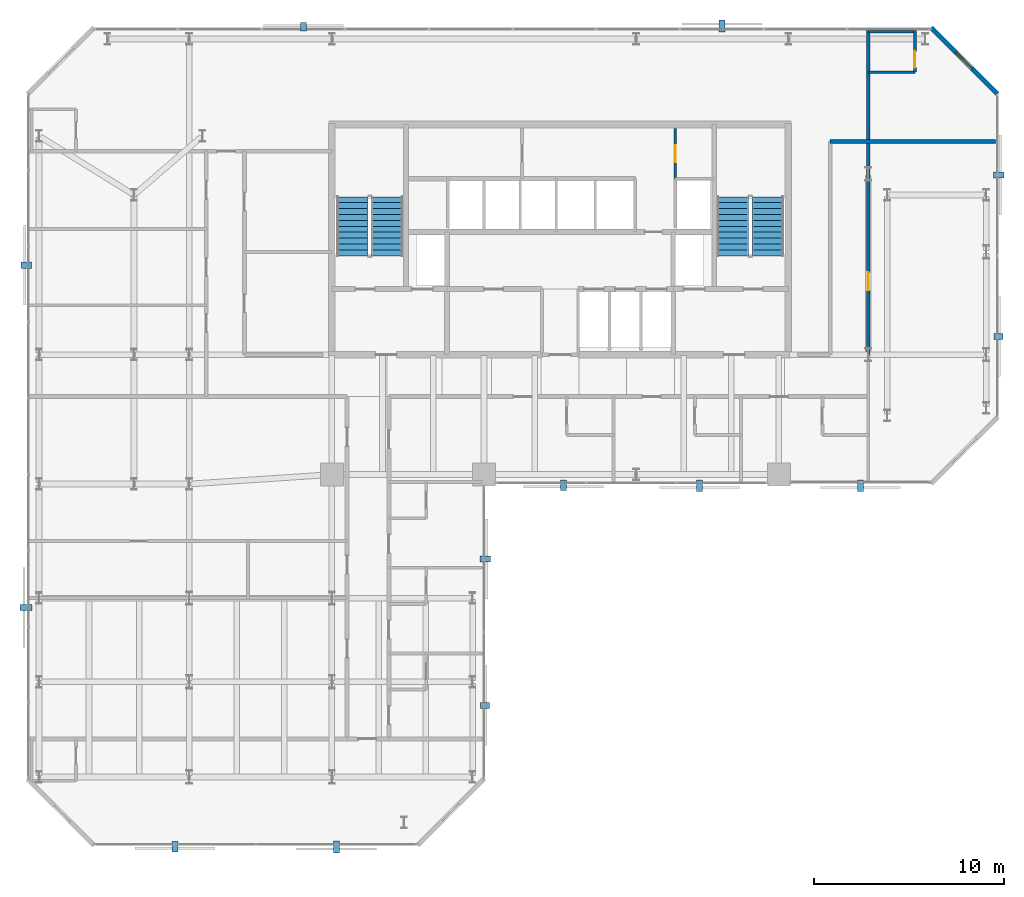
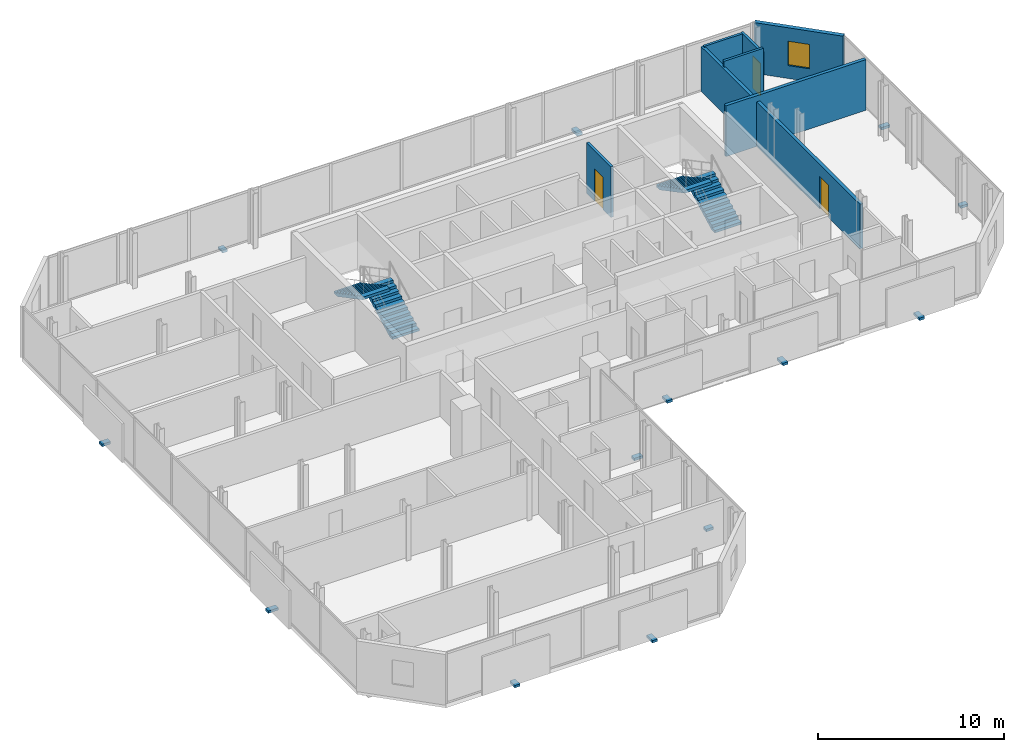
# One storey, part 30 of 32: 13 discrete accessories, 7 walls, 4 stair flights, 3 doors, 1 window, 4 openings, 2 elements without a shape of their own.
"""IFC4 building model written with IfcOpenShell, lengths in metres."""

from ifc_helpers import new_model, si_unit, direction, frame, frame_2d, origin, origin_2d, place, context, subcontext, project, spatial, polyline, rectangle, outline, extrude, material, layer, layer_set, type_object, element, fill, aggregate, save


model = new_model("IFC4")

# Units and contexts
model_context = context("Model", 3, precision=1e-05, world=origin(), true_north=direction((0.0, 1.0)))
body_context = subcontext(model_context, "Body", "Model", "MODEL_VIEW")
ifc_project = project(units=[si_unit("LENGTHUNIT", "METRE"), si_unit("AREAUNIT", "SQUARE_METRE"), si_unit("VOLUMEUNIT", "CUBIC_METRE"), si_unit("PLANEANGLEUNIT", "RADIAN"), si_unit("MASSUNIT", "GRAM", prefix="KILO")], contexts=[model_context])

# Site, building, storey
site_placement = place(None, origin())
site = spatial("IfcSite", under=ifc_project, at=site_placement, CompositionType="ELEMENT")
building_placement = place(site_placement, origin())
building = spatial("IfcBuilding", under=site, at=building_placement, Name="Catumbela Crestline Tower", CompositionType="ELEMENT")
storey_placement = place(building_placement, frame((0.0, 0.0, 133.2)))
storey = spatial("IfcBuildingStorey", under=building, at=storey_placement, Name="L34", CompositionType="ELEMENT", Elevation=133.2)

# Wall
ifc_material_1 = material(Name="Acoustic gypsum and mineral-wool partition")
ifc_layer_1 = layer(ifc_material_1, 0.2, Name="Acoustic gypsum and mineral-wool partition")
ifc_layer_set_1 = layer_set([ifc_layer_1], Name="Acoustic gypsum and mineral-wool partition")
wall_type_1 = type_object("IfcWallType", Name="WC-200", PredefinedType="PARTITIONING", material=ifc_layer_set_1)
wall_1_placement = place(storey_placement, frame((42.2, 42.0, 0.0), z_axis=(0.0, 0.0, 1.0), x_axis=(1.0, 0.0, 0.0)))
element("IfcWall", 1, at=wall_1_placement, inside=storey, type_object=wall_type_1, Name="L34 Interior Partition PW-L34-Z2CW-E3", PredefinedType="PARTITIONING", context=body_context, shape_type="SweptSolid", body=[
    extrude(rectangle(XDim=8.7, YDim=0.2, at=frame_2d((4.35, 0.0))), origin(), (0.0, 0.0, 1.0), 3.33),
])

# Wall, opening, door
wall_2_placement = place(storey_placement, frame((44.2, 30.8, 0.0), z_axis=(0.0, 0.0, 1.0), x_axis=(0.0, 1.0, 0.0)))
wall_2 = element("IfcWall", 2, at=wall_2_placement, inside=storey, type_object=wall_type_1, Name="L34 Interior Partition PW-L34-SE1-ENT", PredefinedType="PARTITIONING", context=body_context, shape_type="SweptSolid", body=[
    extrude(rectangle(XDim=17.1, YDim=0.2, at=frame_2d((8.55, 0.0))), origin(), (0.0, 0.0, 1.0), 2.93),
])
opening_1_placement = place(wall_2_placement, frame((3.3825, 0.0, 0.0)))
opening_1 = element("IfcOpeningElement", 3, at=opening_1_placement, cuts=wall_2, Name="Opening DF6-095", PredefinedType="OPENING", context=body_context, shape_type="SweptSolid", body=[
    extrude(rectangle(XDim=0.95, YDim=2.15, at=frame_2d((0.475, 1.075))), frame((0.0, 0.11, 0.0), z_axis=(0.0, -1.0, 0.0), x_axis=(1.0, 0.0, 0.0)), (0.0, 0.0, 1.0), 0.22),
])
ifc_material_2 = material(Name="Aluminium alloy AW-6060-T66", Category="aluminium")
door_type_1 = type_object("IfcDoorType", Name="DF6-095", OperationType="NOTDEFINED", PredefinedType="DOOR", material=ifc_material_2)
door_1_placement = place(opening_1_placement, origin())
door_1 = element("IfcDoor", 4, at=door_1_placement, inside=storey, type_object=door_type_1, Name="L34 Interior Door DR-L34-SE1-ENT", OperationType="SINGLE_SWING_RIGHT", OverallHeight=2.15, OverallWidth=0.95, PredefinedType="DOOR", context=body_context, shape_type="SweptSolid", body=[
    extrude(rectangle(XDim=0.95, YDim=2.15, at=frame_2d((0.475, 1.075))), frame((0.0, 0.025, 0.0), z_axis=(0.0, -1.0, 0.0), x_axis=(1.0, 0.0, 0.0)), (0.0, 0.0, 1.0), 0.05),
])
fill(opening_1, door_1)

# Wall, opening, window
ifc_material_3 = material(Name="Angolan grey-ochre granite", Category="masonry")
ifc_layer_2 = layer(ifc_material_3, 0.25, Name="Angolan grey-ochre granite")
ifc_layer_set_2 = layer_set([ifc_layer_2], Name="Angolan grey-ochre granite")
wall_type_2 = type_object("IfcWallType", Name="WE-250", PredefinedType="STANDARD", material=ifc_layer_set_2)
wall_3_placement = place(storey_placement, frame((51.0, 44.5, 0.0), z_axis=(0.0, 0.0, 1.0), x_axis=(-0.707106781187, 0.707106781187, 0.0)))
wall_3 = element("IfcWall", 5, at=wall_3_placement, inside=storey, type_object=wall_type_2, Name="L34 Granite Punched Window Wall 6-1", PredefinedType="STANDARD", context=body_context, shape_type="SweptSolid", body=[
    extrude(rectangle(XDim=4.9497, YDim=0.25, at=frame_2d((2.4748, 0.0))), origin(), (0.0, 0.0, 1.0), 3.33),
])
opening_2_placement = place(wall_3_placement, frame((1.8748, 0.0, 0.85)))
opening_2 = element("IfcOpeningElement", 6, at=opening_2_placement, cuts=wall_3, Name="Opening WN-02", PredefinedType="OPENING", context=body_context, shape_type="SweptSolid", body=[
    extrude(rectangle(XDim=1.2, YDim=1.6, at=frame_2d((0.6, 0.8))), frame((0.0, 0.135, 0.0), z_axis=(0.0, -1.0, 0.0), x_axis=(1.0, 0.0, 0.0)), (0.0, 0.0, 1.0), 0.27),
])
ifc_material_4 = material(Name="Low-E laminated solar-control double glazing", Category="glass")
window_type = type_object("IfcWindowType", Name="WO-1200", PartitioningType="SINGLE_PANEL", PredefinedType="WINDOW", material=ifc_material_4)
window_placement = place(opening_2_placement, origin())
window = element("IfcWindow", 7, at=window_placement, inside=storey, type_object=window_type, Name="L34 Facade Vision Window 192", OverallHeight=1.6, OverallWidth=1.2, PartitioningType="SINGLE_PANEL", PredefinedType="WINDOW", context=body_context, shape_type="SweptSolid", body=[
    extrude(rectangle(XDim=1.2, YDim=1.6, at=frame_2d((0.6, 0.8))), frame((0.0, 0.03, 0.0), z_axis=(0.0, -1.0, 0.0), x_axis=(1.0, 0.0, 0.0)), (0.0, 0.0, 1.0), 0.06),
])
fill(opening_2, window)

# Wall, opening, door
ifc_layer_3 = layer(ifc_material_1, 0.15, Name="Acoustic gypsum and mineral-wool partition")
ifc_layer_set_3 = layer_set([ifc_layer_3], Name="Acoustic gypsum and mineral-wool partition")
wall_type_3 = type_object("IfcWallType", Name="WP-150", PredefinedType="PARTITIONING", material=ifc_layer_set_3)
wall_4_placement = place(storey_placement, frame((34.05, 40.05, 0.0), z_axis=(0.0, 0.0, 1.0), x_axis=(0.0, 1.0, 0.0)))
wall_4 = element("IfcWall", 8, at=wall_4_placement, inside=storey, type_object=wall_type_3, Name="L34 Interior Partition PW-L34-CR-EW", PredefinedType="PARTITIONING", context=body_context, shape_type="SweptSolid", body=[
    extrude(rectangle(XDim=2.63, YDim=0.15, at=frame_2d((1.315, 0.0))), origin(), (0.0, 0.0, 1.0), 3.33),
])
opening_3_placement = place(wall_4_placement, frame((0.865, 0.0, 0.0)))
opening_3 = element("IfcOpeningElement", 9, at=opening_3_placement, cuts=wall_4, Name="Opening DF9-090", PredefinedType="OPENING", context=body_context, shape_type="SweptSolid", body=[
    extrude(rectangle(XDim=0.9, YDim=2.15, at=frame_2d((0.45, 1.075))), frame((0.0, 0.085, 0.0), z_axis=(0.0, -1.0, 0.0), x_axis=(1.0, 0.0, 0.0)), (0.0, 0.0, 1.0), 0.17),
])
ifc_material_5 = material(Name="Stainless steel EN 1.4401", Category="steel")
door_type_2 = type_object("IfcDoorType", Name="DF9-090", OperationType="NOTDEFINED", PredefinedType="DOOR", material=ifc_material_5)
door_2_placement = place(opening_3_placement, origin())
door_2 = element("IfcDoor", 10, at=door_2_placement, inside=storey, type_object=door_type_2, Name="L34 Interior Door DR-L34-CREAST", OperationType="SINGLE_SWING_RIGHT", OverallHeight=2.15, OverallWidth=0.9, PredefinedType="DOOR", context=body_context, shape_type="SweptSolid", body=[
    extrude(rectangle(XDim=0.9, YDim=2.15, at=frame_2d((0.45, 1.075))), frame((0.0, 0.025, 0.0), z_axis=(0.0, -1.0, 0.0), x_axis=(1.0, 0.0, 0.0)), (0.0, 0.0, 1.0), 0.05),
])
fill(opening_3, door_2)

# Wall
wall_5_placement = place(storey_placement, frame((44.2, 45.65, 0.0), z_axis=(0.0, 0.0, 1.0), x_axis=(1.0, 0.0, 0.0)))
element("IfcWall", 11, at=wall_5_placement, inside=storey, type_object=wall_type_3, Name="L34 Interior Partition PW-L34-SE1-BSW", PredefinedType="PARTITIONING", context=body_context, shape_type="SweptSolid", body=[
    extrude(rectangle(XDim=2.45, YDim=0.15, at=frame_2d((1.225, 0.0))), origin(), (0.0, 0.0, 1.0), 3.33),
])

# Wall, opening, door
wall_6_placement = place(storey_placement, frame((46.65, 45.65, 0.0), z_axis=(0.0, 0.0, 1.0), x_axis=(0.0, 1.0, 0.0)))
wall_6 = element("IfcWall", 12, at=wall_6_placement, inside=storey, type_object=wall_type_3, Name="L34 Interior Partition PW-L34-SE1-BEW", PredefinedType="PARTITIONING", context=body_context, shape_type="SweptSolid", body=[
    extrude(rectangle(XDim=2.25, YDim=0.15, at=frame_2d((1.125, 0.0))), origin(), (0.0, 0.0, 1.0), 3.01),
])
opening_4_placement = place(wall_6_placement, frame((0.24, 0.0, 0.0)))
opening_4 = element("IfcOpeningElement", 13, at=opening_4_placement, cuts=wall_6, Name="Opening DI-085", PredefinedType="OPENING", context=body_context, shape_type="SweptSolid", body=[
    extrude(rectangle(XDim=0.85, YDim=2.15, at=frame_2d((0.425, 1.075))), frame((0.0, 0.085, 0.0), z_axis=(0.0, -1.0, 0.0), x_axis=(1.0, 0.0, 0.0)), (0.0, 0.0, 1.0), 0.17),
])
door_type_3 = type_object("IfcDoorType", Name="DI-085", OperationType="NOTDEFINED", PredefinedType="DOOR", material=ifc_material_2)
door_3_placement = place(opening_4_placement, origin())
door_3 = element("IfcDoor", 14, at=door_3_placement, inside=storey, type_object=door_type_3, Name="L34 Interior Door DR-L34-SE1-BTH", OperationType="SINGLE_SWING_LEFT", OverallHeight=2.15, OverallWidth=0.85, PredefinedType="DOOR", context=body_context, shape_type="SweptSolid", body=[
    extrude(rectangle(XDim=0.85, YDim=2.15, at=frame_2d((0.425, 1.075))), frame((0.0, 0.025, 0.0), z_axis=(0.0, -1.0, 0.0), x_axis=(1.0, 0.0, 0.0)), (0.0, 0.0, 1.0), 0.05),
])
fill(opening_4, door_3)

# Wall
wall_7_placement = place(storey_placement, frame((44.2, 47.78, 0.0), z_axis=(0.0, 0.0, 1.0), x_axis=(1.0, 0.0, 0.0)))
element("IfcWall", 15, at=wall_7_placement, inside=storey, type_object=wall_type_3, Name="L34 Interior Partition PW-L34-SE1-BCL-2", PredefinedType="PARTITIONING", context=body_context, shape_type="SweptSolid", body=[
    extrude(rectangle(XDim=2.45, YDim=0.15, at=frame_2d((1.225, 0.0))), origin(), (0.0, 0.0, 1.0), 3.01),
])

# Stair, stair flights
ifc_material_6 = material(Name="Concrete C45/55", Category="concrete")
stair_type = type_object("IfcStairType", Name="ST-DLG", PredefinedType="HALF_TURN_STAIR", material=ifc_material_6)
stair_1_placement = place(storey_placement, origin())
stair_1 = element("IfcStair", 16, at=stair_1_placement, inside=storey, type_object=stair_type, Name="L34 West Core Pressurised Exit Stair ST-01", PredefinedType="HALF_TURN_STAIR")
stair_flight_type = type_object("IfcStairFlightType", Name="SF-1636", PredefinedType="STRAIGHT", material=ifc_material_6)
stair_flight_1_placement = place(storey_placement, frame((18.92, 36.0, 0.0), z_axis=(0.0, 0.0, 1.0), x_axis=(0.0, 1.0, 0.0)))
stair_flight_1 = element("IfcStairFlight", 17, at=stair_flight_1_placement, type_object=stair_flight_type, Name="ST-01 flight 1", NumberOfRisers=11, NumberOfTreads=10, PredefinedType="STRAIGHT", RiserHeight=0.163636364, TreadLength=0.31, context=body_context, shape_type="SweptSolid", body=[
    extrude(outline(polyline([(0.0, 0.0), (0.0, 0.1636), (0.31, 0.1636), (0.31, 0.3273), (0.62, 0.3273), (0.62, 0.4909), (0.93, 0.4909), (0.93, 0.6545), (1.24, 0.6545), (1.24, 0.8182), (1.55, 0.8182), (1.55, 0.9818), (1.86, 0.9818), (1.86, 1.1455), (2.17, 1.1455), (2.17, 1.3091), (2.48, 1.3091), (2.48, 1.4727), (2.79, 1.4727), (2.79, 1.6364), (3.1, 1.6364), (3.1, 1.8), (3.1, 1.4554), (0.3427, 0.0), (0.0, 0.0)])), frame((0.0, 0.83, 0.0), z_axis=(0.0, -1.0, 0.0), x_axis=(1.0, 0.0, 0.0)), (0.0, 0.0, 1.0), 1.66),
])
stair_flight_2_placement = place(storey_placement, frame((17.08, 39.1, 1.8), z_axis=(0.0, 0.0, 1.0), x_axis=(0.0, -1.0, 0.0)))
stair_flight_2 = element("IfcStairFlight", 18, at=stair_flight_2_placement, type_object=stair_flight_type, Name="ST-01 flight 2", NumberOfRisers=11, NumberOfTreads=10, PredefinedType="STRAIGHT", RiserHeight=0.163636364, TreadLength=0.31, context=body_context, shape_type="SweptSolid", body=[
    extrude(outline(polyline([(0.0, 0.0), (0.0, 0.1636), (0.31, 0.1636), (0.31, 0.3273), (0.62, 0.3273), (0.62, 0.4909), (0.93, 0.4909), (0.93, 0.6545), (1.24, 0.6545), (1.24, 0.8182), (1.55, 0.8182), (1.55, 0.9818), (1.86, 0.9818), (1.86, 1.1455), (2.17, 1.1455), (2.17, 1.3091), (2.48, 1.3091), (2.48, 1.4727), (2.79, 1.4727), (2.79, 1.6364), (3.1, 1.6364), (3.1, 1.8), (3.1, 1.4554), (0.3427, 0.0), (0.0, 0.0)])), frame((0.0, 0.83, 0.0), z_axis=(0.0, -1.0, 0.0), x_axis=(1.0, 0.0, 0.0)), (0.0, 0.0, 1.0), 1.66),
])
aggregate(stair_1, [stair_flight_1, stair_flight_2])

stair_2_placement = place(storey_placement, origin())
stair_2 = element("IfcStair", 19, at=stair_2_placement, inside=storey, type_object=stair_type, Name="L34 East Core Pressurised Exit Stair ST-02", PredefinedType="HALF_TURN_STAIR")
stair_flight_3_placement = place(storey_placement, frame((38.92, 36.0, 0.0), z_axis=(0.0, 0.0, 1.0), x_axis=(0.0, 1.0, 0.0)))
stair_flight_3 = element("IfcStairFlight", 20, at=stair_flight_3_placement, type_object=stair_flight_type, Name="ST-02 flight 1", NumberOfRisers=11, NumberOfTreads=10, PredefinedType="STRAIGHT", RiserHeight=0.163636364, TreadLength=0.31, context=body_context, shape_type="SweptSolid", body=[
    extrude(outline(polyline([(0.0, 0.0), (0.0, 0.1636), (0.31, 0.1636), (0.31, 0.3273), (0.62, 0.3273), (0.62, 0.4909), (0.93, 0.4909), (0.93, 0.6545), (1.24, 0.6545), (1.24, 0.8182), (1.55, 0.8182), (1.55, 0.9818), (1.86, 0.9818), (1.86, 1.1455), (2.17, 1.1455), (2.17, 1.3091), (2.48, 1.3091), (2.48, 1.4727), (2.79, 1.4727), (2.79, 1.6364), (3.1, 1.6364), (3.1, 1.8), (3.1, 1.4554), (0.3427, 0.0), (0.0, 0.0)])), frame((0.0, 0.83, 0.0), z_axis=(0.0, -1.0, 0.0), x_axis=(1.0, 0.0, 0.0)), (0.0, 0.0, 1.0), 1.66),
])
stair_flight_4_placement = place(storey_placement, frame((37.08, 39.1, 1.8), z_axis=(0.0, 0.0, 1.0), x_axis=(0.0, -1.0, 0.0)))
stair_flight_4 = element("IfcStairFlight", 21, at=stair_flight_4_placement, type_object=stair_flight_type, Name="ST-02 flight 2", NumberOfRisers=11, NumberOfTreads=10, PredefinedType="STRAIGHT", RiserHeight=0.163636364, TreadLength=0.31, context=body_context, shape_type="SweptSolid", body=[
    extrude(outline(polyline([(0.0, 0.0), (0.0, 0.1636), (0.31, 0.1636), (0.31, 0.3273), (0.62, 0.3273), (0.62, 0.4909), (0.93, 0.4909), (0.93, 0.6545), (1.24, 0.6545), (1.24, 0.8182), (1.55, 0.8182), (1.55, 0.9818), (1.86, 0.9818), (1.86, 1.1455), (2.17, 1.1455), (2.17, 1.3091), (2.48, 1.3091), (2.48, 1.4727), (2.79, 1.4727), (2.79, 1.6364), (3.1, 1.6364), (3.1, 1.8), (3.1, 1.4554), (0.3427, 0.0), (0.0, 0.0)])), frame((0.0, 0.83, 0.0), z_axis=(0.0, -1.0, 0.0), x_axis=(1.0, 0.0, 0.0)), (0.0, 0.0, 1.0), 1.66),
])
aggregate(stair_2, [stair_flight_3, stair_flight_4])

# Discrete accessories
discrete_accessory_type = type_object("IfcDiscreteAccessoryType", Name="BK-SS1", PredefinedType="BRACKET", material=ifc_material_5)
discrete_accessory_1_placement = place(storey_placement, frame((7.75, 4.935, -0.18), z_axis=(0.0, 0.0, 1.0), x_axis=(1.0, 0.0, 0.0)))
element("IfcDiscreteAccessory", 22, at=discrete_accessory_1_placement, inside=storey, type_object=discrete_accessory_type, Name="L34 Solar Screen Stainless Bracket 367", PredefinedType="BRACKET", context=body_context, shape_type="SweptSolid", body=[
    extrude(rectangle(XDim=0.32, YDim=0.54, at=origin_2d()), origin(), (0.0, 0.0, 1.0), 0.16),
])
discrete_accessory_2_placement = place(storey_placement, frame((16.25, 4.915, -0.18), z_axis=(0.0, 0.0, 1.0), x_axis=(1.0, 0.0, 0.0)))
element("IfcDiscreteAccessory", 23, at=discrete_accessory_2_placement, inside=storey, type_object=discrete_accessory_type, Name="L34 Solar Screen Stainless Bracket 368", PredefinedType="BRACKET", context=body_context, shape_type="SweptSolid", body=[
    extrude(rectangle(XDim=0.32, YDim=0.62, at=origin_2d()), origin(), (0.0, 0.0, 1.0), 0.16),
])
discrete_accessory_3_placement = place(storey_placement, frame((24.045, 12.35, -0.18), z_axis=(0.0, 0.0, 1.0), x_axis=(0.0, 1.0, 0.0)))
element("IfcDiscreteAccessory", 24, at=discrete_accessory_3_placement, inside=storey, type_object=discrete_accessory_type, Name="L34 Solar Screen Stainless Bracket 369", PredefinedType="BRACKET", context=body_context, shape_type="SweptSolid", body=[
    extrude(rectangle(XDim=0.32, YDim=0.46, at=origin_2d()), origin(), (0.0, 0.0, 1.0), 0.16),
])
for number, where, z_axis, x_axis, name in (
    (25, (24.065, 20.05, -0.18), (0.0, 0.0, 1.0), (0.0, 1.0, 0.0), "L34 Solar Screen Stainless Bracket 370"),
    (26, (28.175, 23.935, -0.18), (0.0, 0.0, 1.0), (1.0, 0.0, 0.0), "L34 Solar Screen Stainless Bracket 371"),
):
    element("IfcDiscreteAccessory", number, at=place(storey_placement, frame(where, z_axis=z_axis, x_axis=x_axis)), inside=storey, type_object=discrete_accessory_type, Name=name, PredefinedType="BRACKET", context=body_context, shape_type="SweptSolid", body=[
        extrude(rectangle(XDim=0.32, YDim=0.54, at=origin_2d()), origin(), (0.0, 0.0, 1.0), 0.16),
    ])
for number, where, z_axis, x_axis, name in (
    (27, (35.325, 23.915, -0.18), (0.0, 0.0, 1.0), (1.0, 0.0, 0.0), "L34 Solar Screen Stainless Bracket 372"),
    (28, (43.8, 23.915, -0.18), (0.0, 0.0, 1.0), (1.0, 0.0, 0.0), "L34 Solar Screen Stainless Bracket 373"),
):
    element("IfcDiscreteAccessory", number, at=place(storey_placement, frame(where, z_axis=z_axis, x_axis=x_axis)), inside=storey, type_object=discrete_accessory_type, Name=name, PredefinedType="BRACKET", context=body_context, shape_type="SweptSolid", body=[
        extrude(rectangle(XDim=0.32, YDim=0.62, at=origin_2d()), origin(), (0.0, 0.0, 1.0), 0.16),
    ])
discrete_accessory_4_placement = place(storey_placement, frame((51.045, 31.75, -0.18), z_axis=(0.0, 0.0, 1.0), x_axis=(0.0, 1.0, 0.0)))
element("IfcDiscreteAccessory", 29, at=discrete_accessory_4_placement, inside=storey, type_object=discrete_accessory_type, Name="L34 Solar Screen Stainless Bracket 374", PredefinedType="BRACKET", context=body_context, shape_type="SweptSolid", body=[
    extrude(rectangle(XDim=0.32, YDim=0.46, at=origin_2d()), origin(), (0.0, 0.0, 1.0), 0.16),
])
discrete_accessory_5_placement = place(storey_placement, frame((51.065, 40.25, -0.18), z_axis=(0.0, 0.0, 1.0), x_axis=(0.0, 1.0, 0.0)))
element("IfcDiscreteAccessory", 30, at=discrete_accessory_5_placement, inside=storey, type_object=discrete_accessory_type, Name="L34 Solar Screen Stainless Bracket 375", PredefinedType="BRACKET", context=body_context, shape_type="SweptSolid", body=[
    extrude(rectangle(XDim=0.32, YDim=0.54, at=origin_2d()), origin(), (0.0, 0.0, 1.0), 0.16),
])
discrete_accessory_6_placement = place(storey_placement, frame((36.5, 48.085, -0.18), z_axis=(0.0, 0.0, 1.0), x_axis=(-1.0, 0.0, 0.0)))
element("IfcDiscreteAccessory", 31, at=discrete_accessory_6_placement, inside=storey, type_object=discrete_accessory_type, Name="L34 Solar Screen Stainless Bracket 376", PredefinedType="BRACKET", context=body_context, shape_type="SweptSolid", body=[
    extrude(rectangle(XDim=0.32, YDim=0.62, at=origin_2d()), origin(), (0.0, 0.0, 1.0), 0.16),
])
discrete_accessory_7_placement = place(storey_placement, frame((14.5, 48.045, -0.18), z_axis=(0.0, 0.0, 1.0), x_axis=(-1.0, 0.0, 0.0)))
element("IfcDiscreteAccessory", 32, at=discrete_accessory_7_placement, inside=storey, type_object=discrete_accessory_type, Name="L34 Solar Screen Stainless Bracket 377", PredefinedType="BRACKET", context=body_context, shape_type="SweptSolid", body=[
    extrude(rectangle(XDim=0.32, YDim=0.46, at=origin_2d()), origin(), (0.0, 0.0, 1.0), 0.16),
])
discrete_accessory_8_placement = place(storey_placement, frame((-0.065, 35.5, -0.18), z_axis=(0.0, 0.0, 1.0), x_axis=(0.0, -1.0, 0.0)))
element("IfcDiscreteAccessory", 33, at=discrete_accessory_8_placement, inside=storey, type_object=discrete_accessory_type, Name="L34 Solar Screen Stainless Bracket 378", PredefinedType="BRACKET", context=body_context, shape_type="SweptSolid", body=[
    extrude(rectangle(XDim=0.32, YDim=0.54, at=origin_2d()), origin(), (0.0, 0.0, 1.0), 0.16),
])
discrete_accessory_9_placement = place(storey_placement, frame((-0.085, 17.5, -0.18), z_axis=(0.0, 0.0, 1.0), x_axis=(0.0, -1.0, 0.0)))
element("IfcDiscreteAccessory", 34, at=discrete_accessory_9_placement, inside=storey, type_object=discrete_accessory_type, Name="L34 Solar Screen Stainless Bracket 379", PredefinedType="BRACKET", context=body_context, shape_type="SweptSolid", body=[
    extrude(rectangle(XDim=0.32, YDim=0.62, at=origin_2d()), origin(), (0.0, 0.0, 1.0), 0.16),
])

save(model, "model.ifc")
